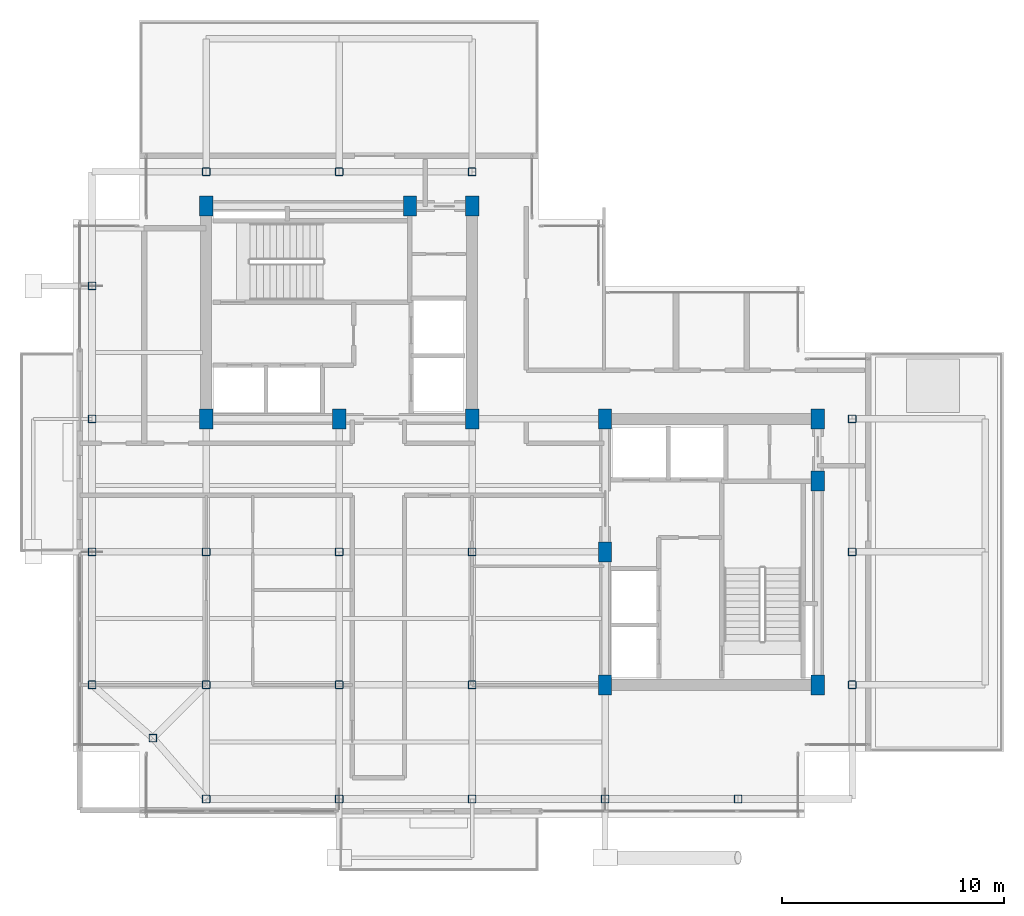
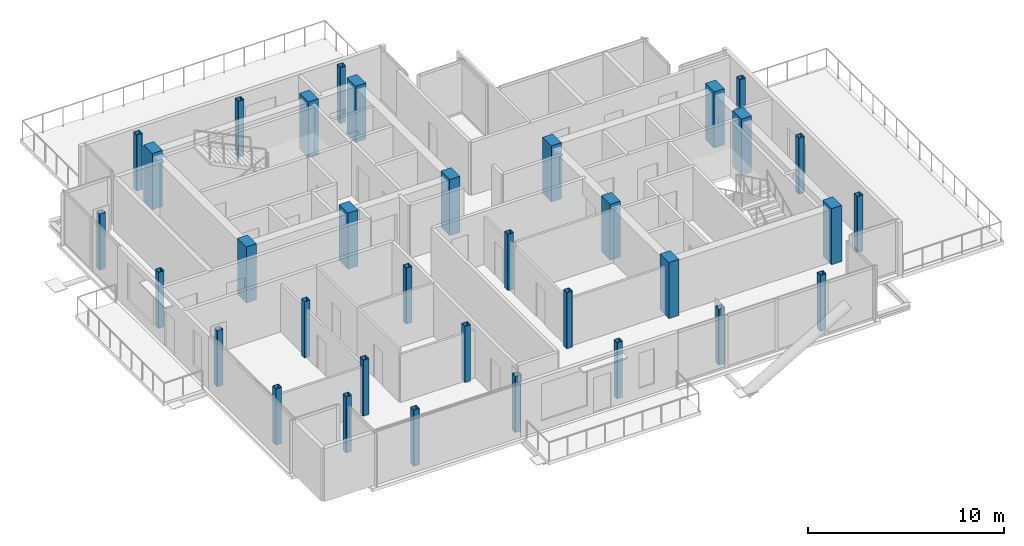
# One storey, part 1 of 19: 34 columns.
"""IFC4 building model written with IfcOpenShell, lengths in metres."""

from ifc_helpers import new_model, si_unit, direction, frame, origin, origin_2d, place, context, subcontext, project, spatial, rectangle, hollow_rectangle, extrude, material, material_profile, profile_set, type_object, element, save


model = new_model("IFC4")

# Units and contexts
model_context = context("Model", 3, precision=1e-05, world=origin(), true_north=direction((0.0, 1.0)))
body_context = subcontext(model_context, "Body", "Model", "MODEL_VIEW")
ifc_project = project(units=[si_unit("LENGTHUNIT", "METRE"), si_unit("AREAUNIT", "SQUARE_METRE"), si_unit("VOLUMEUNIT", "CUBIC_METRE"), si_unit("PLANEANGLEUNIT", "RADIAN"), si_unit("MASSUNIT", "GRAM", prefix="KILO"), si_unit("THERMODYNAMICTEMPERATUREUNIT", "KELVIN"), si_unit("POWERUNIT", "WATT")], contexts=[model_context])

# Site, building, storey
site_placement = place(None, origin())
site = spatial("IfcSite", under=ifc_project, at=site_placement, CompositionType="ELEMENT")
building_placement = place(site_placement, origin())
building = spatial("IfcBuilding", under=site, at=building_placement, Name="Svarakhadi Broadcast Tower", CompositionType="ELEMENT")
storey_placement = place(building_placement, frame((0.0, 0.0, 239.699951171875)))
storey = spatial("IfcBuildingStorey", under=building, at=storey_placement, Name="L59", CompositionType="ELEMENT", Elevation=239.699951171875)

# Columns
ifc_material_1 = material(Name="Concrete C50/60 (IS 456 M60)", Category="concrete")
ifc_material_profile_1 = material_profile(ifc_material_1, rectangle(XDim=0.60009765625, YDim=0.89990234375, at=origin_2d()), Name="RC 600x900")
ifc_profile_set_1 = profile_set([ifc_material_profile_1], Name="Concrete C50/60 (IS 456 M60)")
column_type_1 = type_object("IfcColumnType", Name="Col_RC600", PredefinedType="COLUMN", material=ifc_profile_set_1)
for number, where, z_axis, x_axis, name in (
    (1, (6.0, 18.0, 0.0), (0.0, 0.0, 1.0), (1.0, 0.0, 0.0), "L59 Column CW1"),
    (2, (12.0, 18.0, 0.0), (0.0, 0.0, 1.0), (1.0, 0.0, 0.0), "L59 Column CW2"),
    (3, (18.0, 18.0, 0.0), (0.0, 0.0, 1.0), (1.0, 0.0, 0.0), "L59 Column CW3"),
    (4, (6.0, 27.60009765625, 0.0), (0.0, 0.0, 1.0), (1.0, 0.0, 0.0), "L59 Column CW4"),
    (5, (15.199951171875, 27.60009765625, 0.0), (0.0, 0.0, 1.0), (1.0, 0.0, 0.0), "L59 Column CW5"),
    (6, (18.0, 27.60009765625, 0.0), (0.0, 0.0, 1.0), (1.0, 0.0, 0.0), "L59 Column CW6"),
    (7, (24.0, 6.0, 0.0), (0.0, 0.0, 1.0), (1.0, 0.0, 0.0), "L59 Column CE1"),
    (8, (24.0, 12.0, 0.0), (0.0, 0.0, 1.0), (1.0, 0.0, 0.0), "L59 Column CE2"),
    (9, (24.0, 18.0, 0.0), (0.0, 0.0, 1.0), (1.0, 0.0, 0.0), "L59 Column CE3"),
    (10, (33.60009765625, 6.0, 0.0), (0.0, 0.0, 1.0), (1.0, 0.0, 0.0), "L59 Column CE4"),
    (11, (33.60009765625, 15.199951171875, 0.0), (0.0, 0.0, 1.0), (1.0, 0.0, 0.0), "L59 Column CE5"),
    (12, (33.60009765625, 18.0, 0.0), (0.0, 0.0, 1.0), (1.0, 0.0, 0.0), "L59 Column CE6"),
):
    element("IfcColumn", number, at=place(storey_placement, frame(where, z_axis=z_axis, x_axis=x_axis)), inside=storey, type_object=column_type_1, Name=name, PredefinedType="COLUMN", context=body_context, shape_type="SweptSolid", body=[
        extrude(rectangle(XDim=0.60009765625, YDim=0.89990234375, at=origin_2d()), origin(), (0.0, 0.0, 1.0), 3.5),
    ])
ifc_material_2 = material(Name="Steel S460ML (IS 2062 E450BR)", Category="steel")
ifc_material_profile_2 = material_profile(ifc_material_2, hollow_rectangle(XDim=0.35009765625, YDim=0.35009765625, WallThickness=0.01611328125, InnerFilletRadius=0.01611328125, OuterFilletRadius=0.031982421875, at=origin_2d()), Name="SHS 350x350x16")
ifc_profile_set_2 = profile_set([ifc_material_profile_2], Name="Steel S460ML (IS 2062 E450BR)")
column_type_2 = type_object("IfcColumnType", Name="Col_SHS350", PredefinedType="COLUMN", material=ifc_profile_set_2)
for number, where, z_axis, x_axis, name in (
    (13, (3.60009765625, 3.60009765625, 0.0), (0.0, 0.0, 1.0), (1.0, 0.0, 0.0), "L59 Column G01"),
    (14, (0.85009765625, 6.0, 0.0), (0.0, 0.0, 1.0), (1.0, 0.0, 0.0), "L59 Column G03"),
    (15, (0.85009765625, 12.0, 0.0), (0.0, 0.0, 1.0), (1.0, 0.0, 0.0), "L59 Column G04"),
    (16, (0.85009765625, 18.0, 0.0), (0.0, 0.0, 1.0), (1.0, 0.0, 0.0), "L59 Column G05"),
    (17, (0.85009765625, 24.0, 0.0), (0.0, 0.0, 1.0), (1.0, 0.0, 0.0), "L59 Column G06"),
    (18, (6.0, 0.85009765625, 0.0), (0.0, 0.0, 1.0), (1.0, 0.0, 0.0), "L59 Column G11"),
    (19, (6.0, 6.0, 0.0), (0.0, 0.0, 1.0), (1.0, 0.0, 0.0), "L59 Column G12"),
    (20, (6.0, 12.0, 0.0), (0.0, 0.0, 1.0), (1.0, 0.0, 0.0), "L59 Column G13"),
    (21, (6.0, 29.14990234375, 0.0), (0.0, 0.0, 1.0), (1.0, 0.0, 0.0), "L59 Column G14"),
    (22, (12.0, 0.85009765625, 0.0), (0.0, 0.0, 1.0), (1.0, 0.0, 0.0), "L59 Column G18"),
    (23, (12.0, 6.0, 0.0), (0.0, 0.0, 1.0), (1.0, 0.0, 0.0), "L59 Column G19"),
    (24, (12.0, 12.0, 0.0), (0.0, 0.0, 1.0), (1.0, 0.0, 0.0), "L59 Column G20"),
    (25, (12.0, 29.14990234375, 0.0), (0.0, 0.0, 1.0), (1.0, 0.0, 0.0), "L59 Column G21"),
    (26, (18.0, 0.85009765625, 0.0), (0.0, 0.0, 1.0), (1.0, 0.0, 0.0), "L59 Column G25"),
    (27, (18.0, 6.0, 0.0), (0.0, 0.0, 1.0), (1.0, 0.0, 0.0), "L59 Column G26"),
    (28, (18.0, 12.0, 0.0), (0.0, 0.0, 1.0), (1.0, 0.0, 0.0), "L59 Column G27"),
    (29, (18.0, 29.14990234375, 0.0), (0.0, 0.0, 1.0), (1.0, 0.0, 0.0), "L59 Column G28"),
    (30, (24.0, 0.85009765625, 0.0), (0.0, 0.0, 1.0), (1.0, 0.0, 0.0), "L59 Column G32"),
    (31, (30.0, 0.85009765625, 0.0), (0.0, 0.0, 1.0), (1.0, 0.0, 0.0), "L59 Column G36"),
    (32, (35.14990234375, 6.0, 0.0), (0.0, 0.0, 1.0), (1.0, 0.0, 0.0), "L59 Column G39"),
    (33, (35.14990234375, 12.0, 0.0), (0.0, 0.0, 1.0), (1.0, 0.0, 0.0), "L59 Column G40"),
    (34, (35.14990234375, 18.0, 0.0), (0.0, 0.0, 1.0), (1.0, 0.0, 0.0), "L59 Column G41"),
):
    element("IfcColumn", number, at=place(storey_placement, frame(where, z_axis=z_axis, x_axis=x_axis)), inside=storey, type_object=column_type_2, Name=name, PredefinedType="COLUMN", context=body_context, shape_type="SweptSolid", body=[
        extrude(hollow_rectangle(XDim=0.35009765625, YDim=0.35009765625, WallThickness=0.01611328125, InnerFilletRadius=0.01611328125, OuterFilletRadius=0.031982421875, at=origin_2d()), origin(), (0.0, 0.0, 1.0), 3.5),
    ])

save(model, "model.ifc")
